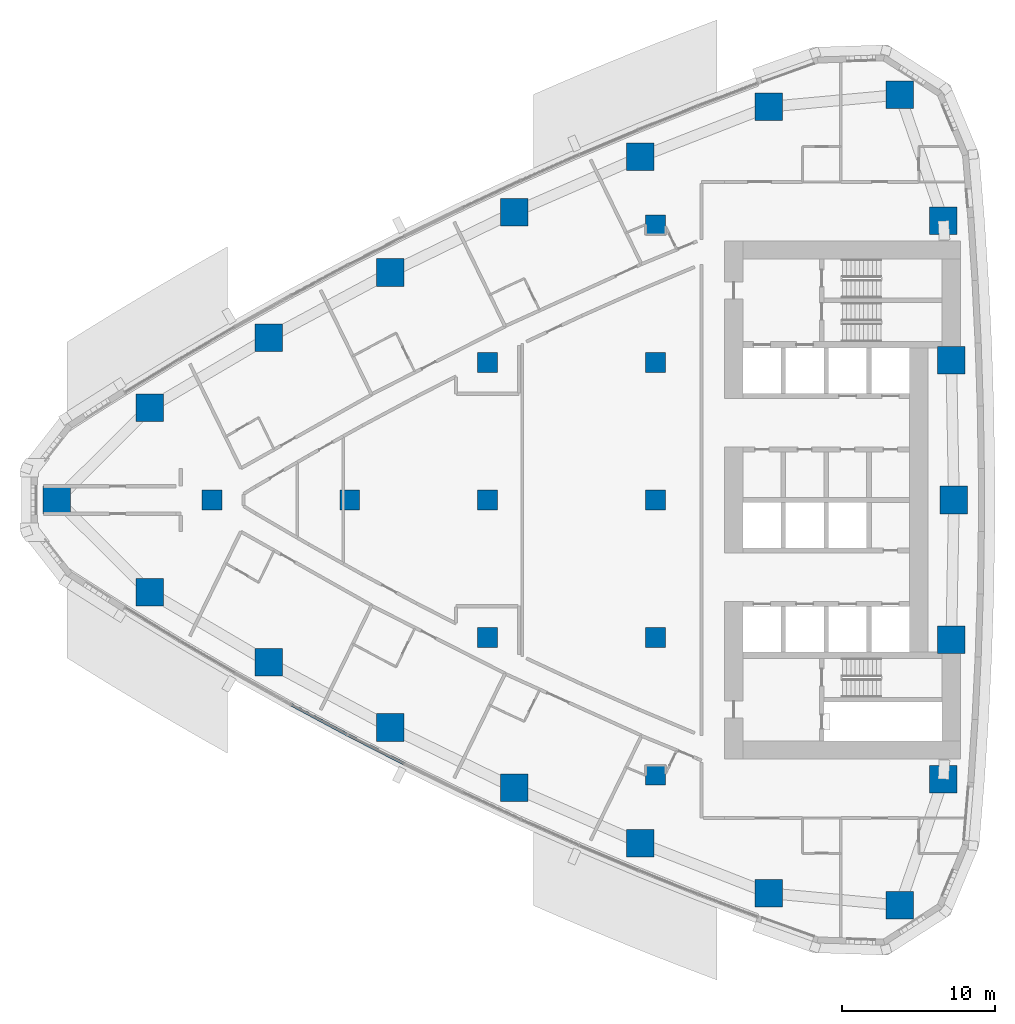
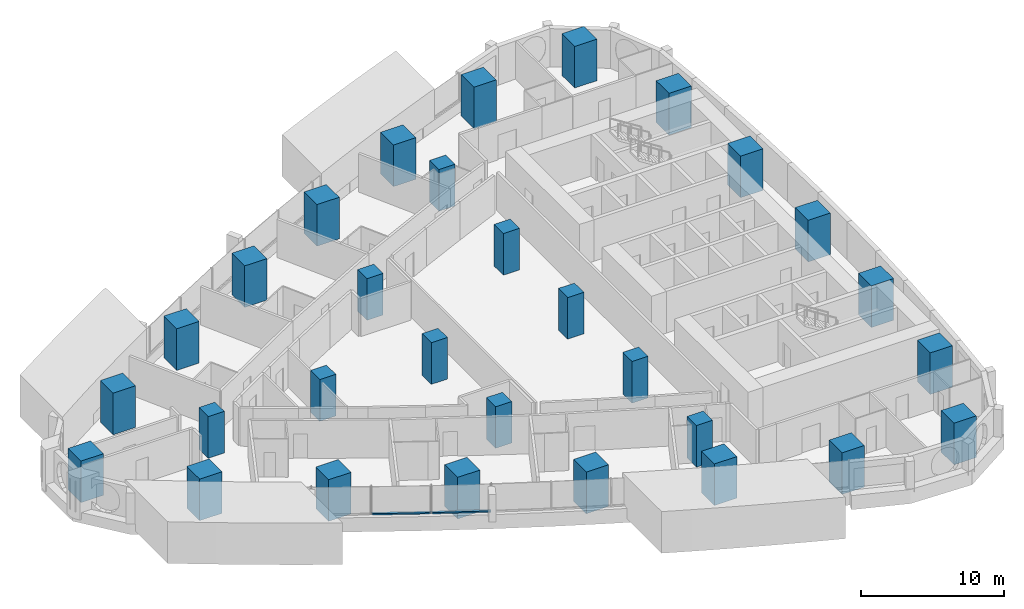
# One storey, part 1 of 18: 30 columns, 2 members, 1 element without a shape of its own.
"""IFC4 building model written with IfcOpenShell, lengths in metres."""

from ifc_helpers import new_model, si_unit, direction, frame, origin, origin_2d, place, context, subcontext, project, spatial, rectangle, extrude, material, layer, layer_set, material_profile, profile_set, type_object, element, aggregate, save


model = new_model("IFC4")

# Units and contexts
model_context = context("Model", 3, precision=1e-05, world=origin(), true_north=direction((0.0, 1.0)))
body_context = subcontext(model_context, "Body", "Model", "MODEL_VIEW")
ifc_project = project(units=[si_unit("LENGTHUNIT", "METRE"), si_unit("AREAUNIT", "SQUARE_METRE"), si_unit("VOLUMEUNIT", "CUBIC_METRE"), si_unit("PLANEANGLEUNIT", "RADIAN"), si_unit("MASSUNIT", "GRAM", prefix="KILO")], contexts=[model_context])

# Site, building, storey
site_placement = place(None, origin())
site = spatial("IfcSite", under=ifc_project, at=site_placement, CompositionType="ELEMENT")
building_placement = place(site_placement, origin())
building = spatial("IfcBuilding", under=site, at=building_placement, Name="Ostrand Prow Hotel Tower", CompositionType="ELEMENT")
storey_placement = place(building_placement, frame((0.0, 0.0, 57.35009765625)))
storey = spatial("IfcBuildingStorey", under=building, at=storey_placement, Name="L12", CompositionType="ELEMENT", Elevation=57.35009765625)

# Columns
ifc_material_1 = material(Name="Concrete C80/95", Category="concrete")
ifc_material_profile_1 = material_profile(ifc_material_1, rectangle(XDim=1.300048828125, YDim=1.300048828125, at=origin_2d()), Name="RC 1300x1300")
ifc_profile_set_1 = profile_set([ifc_material_profile_1], Name="Concrete C80/95")
column_type_1 = type_object("IfcColumnType", Name="Interior column 1300x1300 C80/95", PredefinedType="COLUMN", material=ifc_profile_set_1)
for number, where, z_axis, x_axis, name in (
    (1, (16.0, 0.0, 0.0), (0.0, 0.0, 1.0), (1.0, 0.0, 0.0), "Interior column 16C0"),
    (2, (25.0, 0.0, 0.0), (0.0, 0.0, 1.0), (1.0, 0.0, 0.0), "Interior column 25C0"),
    (3, (34.0, -9.0, 0.0), (0.0, 0.0, 1.0), (1.0, 0.0, 0.0), "Interior column 34S9"),
    (4, (34.0, 0.0, 0.0), (0.0, 0.0, 1.0), (1.0, 0.0, 0.0), "Interior column 34C0"),
    (5, (34.0, 9.0, 0.0), (0.0, 0.0, 1.0), (1.0, 0.0, 0.0), "Interior column 34N9"),
    (6, (45.0, -18.0, 0.0), (0.0, 0.0, 1.0), (1.0, 0.0, 0.0), "Interior column 45S18"),
    (7, (45.0, -9.0, 0.0), (0.0, 0.0, 1.0), (1.0, 0.0, 0.0), "Interior column 45S9"),
    (8, (45.0, 0.0, 0.0), (0.0, 0.0, 1.0), (1.0, 0.0, 0.0), "Interior column 45C0"),
    (9, (45.0, 9.0, 0.0), (0.0, 0.0, 1.0), (1.0, 0.0, 0.0), "Interior column 45N9"),
    (10, (45.0, 18.0, 0.0), (0.0, 0.0, 1.0), (1.0, 0.0, 0.0), "Interior column 45N18"),
):
    element("IfcColumn", number, at=place(storey_placement, frame(where, z_axis=z_axis, x_axis=x_axis)), inside=storey, type_object=column_type_1, Name=name, PredefinedType="COLUMN", context=body_context, shape_type="SweptSolid", body=[
        extrude(rectangle(XDim=1.300048828125, YDim=1.300048828125, at=origin_2d()), origin(), (0.0, 0.0, 1.0), 3.5498046875),
    ])
ifc_material_2 = material(Name="Concrete C80/95", Category="concrete")
ifc_material_profile_2 = material_profile(ifc_material_2, rectangle(XDim=1.800048828125, YDim=1.800048828125, at=origin_2d()), Name="RC 1800x1800")
ifc_profile_set_2 = profile_set([ifc_material_profile_2], Name="Concrete C80/95")
column_type_2 = type_object("IfcColumnType", Name="Stone-faced mega column 1800x1800 C80/95", PredefinedType="COLUMN", material=ifc_profile_set_2)
for number, where, z_axis, x_axis, name in (
    (11, (5.848388671875, 0.0, 0.0), (0.0, 0.0, 1.0), (1.0, 0.0, 0.0), "Mega column P"),
    (12, (11.926513671875, -6.0419921875, 0.0), (0.0, 0.0, 1.0), (1.0, 0.0, 0.0), "Mega column S1"),
    (13, (19.69287109375, -10.61474609375, 0.0), (0.0, 0.0, 1.0), (1.0, 0.0, 0.0), "Mega column S2"),
    (14, (27.635498046875, -14.874267578125, 0.0), (0.0, 0.0, 1.0), (1.0, 0.0, 0.0), "Mega column S3"),
    (15, (35.7412109375, -18.814208984375, 0.0), (0.0, 0.0, 1.0), (1.0, 0.0, 0.0), "Mega column S4"),
    (16, (43.997802734375, -22.427978515625, 0.0), (0.0, 0.0, 1.0), (1.0, 0.0, 0.0), "Mega column S5"),
    (17, (52.3916015625, -25.710205078125, 0.0), (0.0, 0.0, 1.0), (1.0, 0.0, 0.0), "Mega column S6"),
    (18, (60.966064453125, -26.49853515625, 0.0), (0.0, 0.0, 1.0), (1.0, 0.0, 0.0), "Mega column SE"),
    (19, (63.8134765625, -18.248779296875, 0.0), (0.0, 0.0, 1.0), (1.0, 0.0, 0.0), "Mega column B1"),
    (20, (64.328369140625, -9.130859375, 0.0), (0.0, 0.0, 1.0), (1.0, 0.0, 0.0), "Mega column B2"),
    (21, (64.5, 0.0, 0.0), (0.0, 0.0, 1.0), (1.0, 0.0, 0.0), "Mega column B3"),
    (22, (64.328369140625, 9.130859375, 0.0), (0.0, 0.0, 1.0), (1.0, 0.0, 0.0), "Mega column B4"),
    (23, (63.8134765625, 18.248779296875, 0.0), (0.0, 0.0, 1.0), (1.0, 0.0, 0.0), "Mega column B5"),
    (24, (60.966064453125, 26.49853515625, 0.0), (0.0, 0.0, 1.0), (1.0, 0.0, 0.0), "Mega column NE"),
    (25, (52.3916015625, 25.710205078125, 0.0), (0.0, 0.0, 1.0), (1.0, 0.0, 0.0), "Mega column N1"),
    (26, (43.997802734375, 22.427978515625, 0.0), (0.0, 0.0, 1.0), (1.0, 0.0, 0.0), "Mega column N2"),
    (27, (35.7412109375, 18.814208984375, 0.0), (0.0, 0.0, 1.0), (1.0, 0.0, 0.0), "Mega column N3"),
    (28, (27.635498046875, 14.874267578125, 0.0), (0.0, 0.0, 1.0), (1.0, 0.0, 0.0), "Mega column N4"),
    (29, (19.69287109375, 10.61474609375, 0.0), (0.0, 0.0, 1.0), (1.0, 0.0, 0.0), "Mega column N5"),
    (30, (11.926513671875, 6.0419921875, 0.0), (0.0, 0.0, 1.0), (1.0, 0.0, 0.0), "Mega column N6"),
):
    element("IfcColumn", number, at=place(storey_placement, frame(where, z_axis=z_axis, x_axis=x_axis)), inside=storey, type_object=column_type_2, Name=name, PredefinedType="COLUMN", context=body_context, shape_type="SweptSolid", body=[
        extrude(rectangle(XDim=1.800048828125, YDim=1.800048828125, at=origin_2d()), origin(), (0.0, 0.0, 1.0), 3.5498046875),
    ])

# Curtain wall, members
ifc_material_3 = material(Name="Insulated glass in bronze anodised frame", Category="glass")
ifc_layer = layer(ifc_material_3, 0.199951171875)
ifc_layer_set = layer_set([ifc_layer], Name="Insulated glass in bronze anodised frame")
curtain_wall_type = type_object("IfcCurtainWallType", Name="Strip curtain wall, fritted glass over bronze spandrel", PredefinedType="NOTDEFINED", material=ifc_layer_set)
curtain_wall_placement = place(storey_placement, origin())
curtain_wall = element("IfcCurtainWall", 31, at=curtain_wall_placement, inside=storey, type_object=curtain_wall_type, Name="CW1 run CWS2", PredefinedType="NOTDEFINED")
ifc_material_4 = material(Name="Bronze anodised aluminium", Category="aluminium")
ifc_material_profile_3 = material_profile(ifc_material_4, rectangle(XDim=0.199951171875, YDim=0.1201171875, at=origin_2d()), Name="Transom 120x200 bronze anodised aluminium")
ifc_profile_set_3 = profile_set([ifc_material_profile_3], Name="Bronze anodised aluminium")
member_type = type_object("IfcMemberType", Name="Transom 120x200 bronze anodised aluminium", PredefinedType="USERDEFINED", material=ifc_profile_set_3)
member_1_placement = place(storey_placement, frame((21.187255859375, -13.386962890625, 0.9599609375), z_axis=(0.881657241639, -0.471890356191, 0.0), x_axis=(0.471890356191, 0.881657241639, 0.0)))
member_1 = element("IfcMember", 32, at=member_1_placement, type_object=member_type, Name="CW1 transom 2.1", ObjectType="TRANSOM", PredefinedType="USERDEFINED", context=body_context, shape_type="SweptSolid", body=[
    extrude(rectangle(XDim=0.199951171875, YDim=0.1201171875, at=origin_2d()), origin(), (0.0, 0.0, 1.0), 4.13427734375),
])
member_2_placement = place(storey_placement, frame((24.885498046875, -15.36572265625, 0.9599609375), z_axis=(0.890182999343, -0.455603147136, 0.0), x_axis=(0.455603147136, 0.890182999343, 0.0)))
member_2 = element("IfcMember", 33, at=member_2_placement, type_object=member_type, Name="CW1 transom 3.1", ObjectType="TRANSOM", PredefinedType="USERDEFINED", context=body_context, shape_type="SweptSolid", body=[
    extrude(rectangle(XDim=0.199951171875, YDim=0.1201171875, at=origin_2d()), origin(), (0.0, 0.0, 1.0), 4.13427734375),
])
aggregate(curtain_wall, [member_1, member_2])

save(model, "model.ifc")
